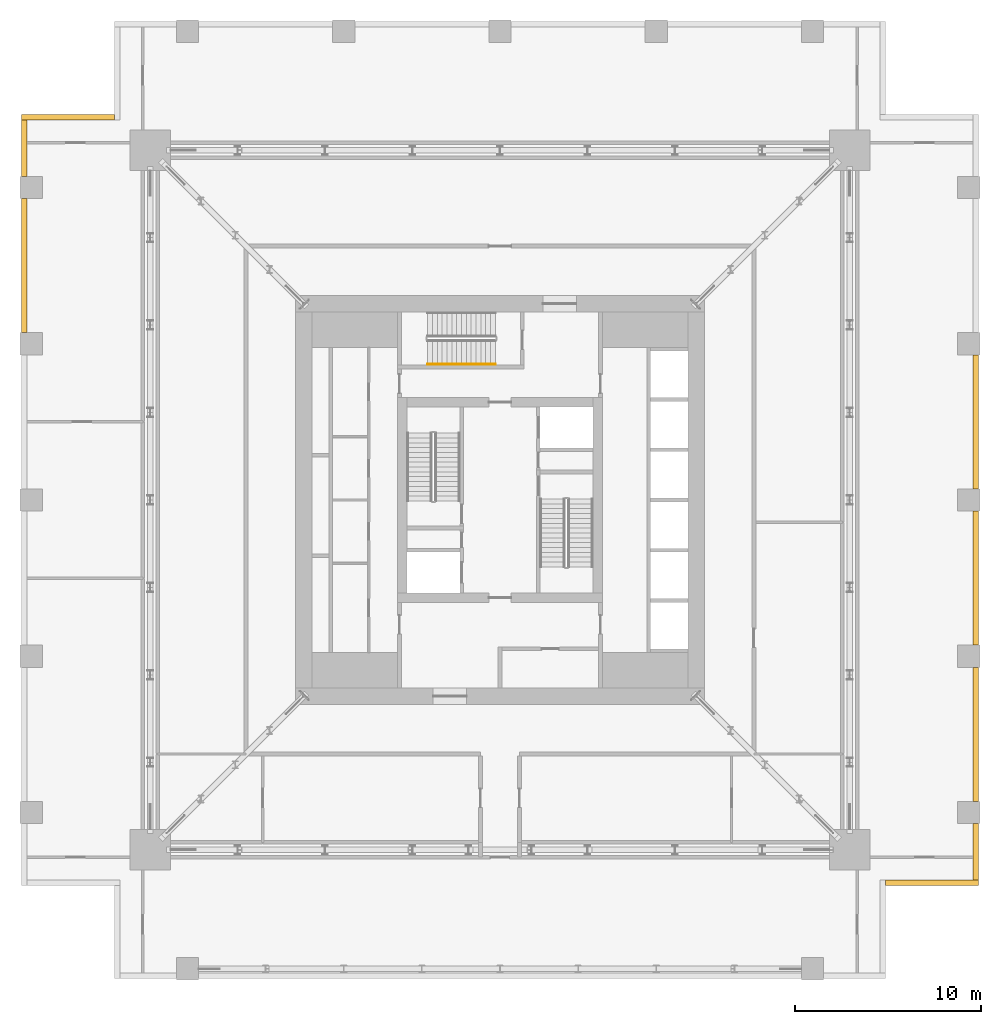
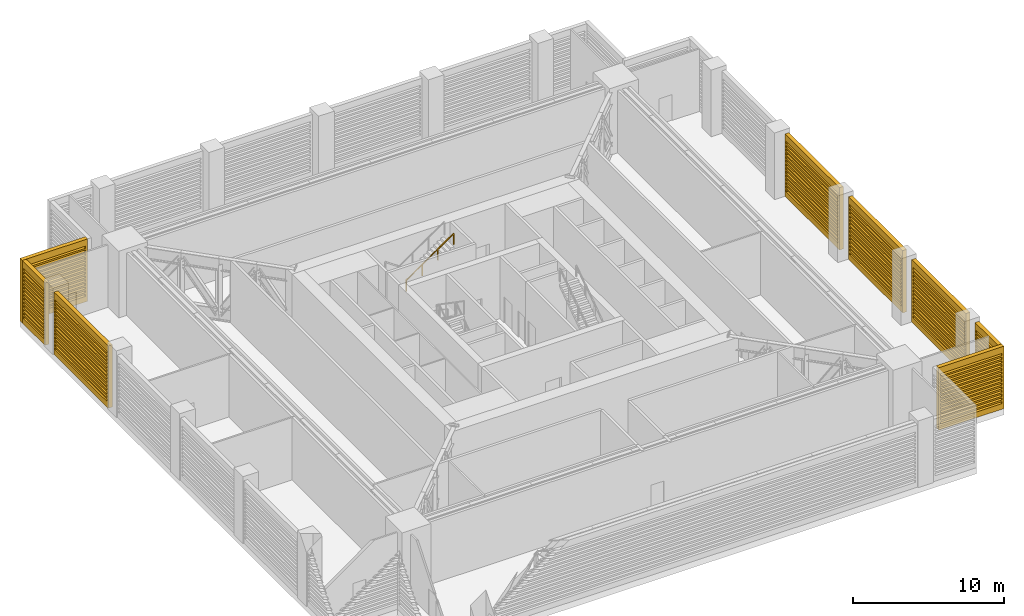
# One storey, part 14 of 16: 8 shading devices, 1 railing.
"""IFC4 building model written with IfcOpenShell, lengths in metres."""

from ifc_helpers import new_model, si_unit, direction, frame, origin, origin_2d, place, context, subcontext, project, spatial, polyline, rectangle, outline, extrude, material, type_object, element, save


model = new_model("IFC4")

# Units and contexts
model_context = context("Model", 3, precision=1e-05, world=origin(), true_north=direction((0.0, 1.0)))
body_context = subcontext(model_context, "Body", "Model", "MODEL_VIEW")
ifc_project = project(units=[si_unit("LENGTHUNIT", "METRE"), si_unit("AREAUNIT", "SQUARE_METRE"), si_unit("VOLUMEUNIT", "CUBIC_METRE"), si_unit("PLANEANGLEUNIT", "RADIAN"), si_unit("MASSUNIT", "GRAM", prefix="KILO")], contexts=[model_context])

# Site, building, storey
site_placement = place(None, origin())
site = spatial("IfcSite", under=ifc_project, at=site_placement, CompositionType="ELEMENT")
building_placement = place(site_placement, origin())
building = spatial("IfcBuilding", under=site, at=building_placement, Name="Khepri Terraces", CompositionType="ELEMENT")
storey_placement = place(building_placement, frame((0.0, 0.0, 287.39990234375)))
storey = spatial("IfcBuildingStorey", under=building, at=storey_placement, Name="L69", CompositionType="ELEMENT", Elevation=287.39990234375)

# Shading devices
ifc_material_1 = material(Name="Anodised aluminium bronze", Category="aluminium")
shading_device_type = type_object("IfcShadingDeviceType", Name="LVR-PLANT-300", PredefinedType="USERDEFINED", material=ifc_material_1)
shading_device_1_placement = place(storey_placement, frame((25.419921875, -20.419921875, 0.0), z_axis=(1.0, 0.0, 0.0), x_axis=(0.0, 1.0, 0.0)))
element("IfcShadingDevice", 1, at=shading_device_1_placement, inside=storey, type_object=shading_device_type, Name="Louvre wall L69 E", ObjectType="LOUVRE", PredefinedType="USERDEFINED", context=body_context, shape_type="SweptSolid", body=[
    extrude(outline(polyline([(0.0, 0.0), (3.02001953125, 0.0), (3.02001953125, 5.050048828125), (0.0, 5.050048828125), (0.0, 0.0)]), holes=[polyline([(0.14990234375, 0.449951171875), (2.8701171875, 0.449951171875), (2.8701171875, 0.6201171875), (0.14990234375, 0.6201171875), (0.14990234375, 0.449951171875)]), polyline([(0.14990234375, 0.75), (2.8701171875, 0.75), (2.8701171875, 0.919921875), (0.14990234375, 0.919921875), (0.14990234375, 0.75)]), polyline([(0.14990234375, 1.050048828125), (2.8701171875, 1.050048828125), (2.8701171875, 1.219970703125), (0.14990234375, 1.219970703125), (0.14990234375, 1.050048828125)]), polyline([(0.14990234375, 1.35009765625), (2.8701171875, 1.35009765625), (2.8701171875, 1.52001953125), (0.14990234375, 1.52001953125), (0.14990234375, 1.35009765625)]), polyline([(0.14990234375, 1.64990234375), (2.8701171875, 1.64990234375), (2.8701171875, 1.820068359375), (0.14990234375, 1.820068359375), (0.14990234375, 1.64990234375)]), polyline([(0.14990234375, 1.949951171875), (2.8701171875, 1.949951171875), (2.8701171875, 2.1201171875), (0.14990234375, 2.1201171875), (0.14990234375, 1.949951171875)]), polyline([(0.14990234375, 2.25), (2.8701171875, 2.25), (2.8701171875, 2.419921875), (0.14990234375, 2.419921875), (0.14990234375, 2.25)]), polyline([(0.14990234375, 2.550048828125), (2.8701171875, 2.550048828125), (2.8701171875, 2.719970703125), (0.14990234375, 2.719970703125), (0.14990234375, 2.550048828125)]), polyline([(0.14990234375, 2.85009765625), (2.8701171875, 2.85009765625), (2.8701171875, 3.02001953125), (0.14990234375, 3.02001953125), (0.14990234375, 2.85009765625)]), polyline([(0.14990234375, 3.14990234375), (2.8701171875, 3.14990234375), (2.8701171875, 3.320068359375), (0.14990234375, 3.320068359375), (0.14990234375, 3.14990234375)]), polyline([(0.14990234375, 3.449951171875), (2.8701171875, 3.449951171875), (2.8701171875, 3.6201171875), (0.14990234375, 3.6201171875), (0.14990234375, 3.449951171875)]), polyline([(0.14990234375, 3.75), (2.8701171875, 3.75), (2.8701171875, 3.919921875), (0.14990234375, 3.919921875), (0.14990234375, 3.75)]), polyline([(0.14990234375, 4.050048828125), (2.8701171875, 4.050048828125), (2.8701171875, 4.219970703125), (0.14990234375, 4.219970703125), (0.14990234375, 4.050048828125)]), polyline([(0.14990234375, 4.35009765625), (2.8701171875, 4.35009765625), (2.8701171875, 4.52001953125), (0.14990234375, 4.52001953125), (0.14990234375, 4.35009765625)])]), origin(), (0.0, 0.0, 1.0), 0.300048828125),
])
shading_device_2_placement = place(storey_placement, frame((25.419921875, -16.199951171875, 0.0), z_axis=(1.0, 0.0, 0.0), x_axis=(0.0, 1.0, 0.0)))
element("IfcShadingDevice", 2, at=shading_device_2_placement, inside=storey, type_object=shading_device_type, Name="Louvre wall L69 E", ObjectType="LOUVRE", PredefinedType="USERDEFINED", context=body_context, shape_type="SweptSolid", body=[
    extrude(outline(polyline([(0.0, 0.0), (7.199951171875, 0.0), (7.199951171875, 5.050048828125), (0.0, 5.050048828125), (0.0, 0.0)]), holes=[polyline([(0.14990234375, 0.449951171875), (7.050048828125, 0.449951171875), (7.050048828125, 0.6201171875), (0.14990234375, 0.6201171875), (0.14990234375, 0.449951171875)]), polyline([(0.14990234375, 0.75), (7.050048828125, 0.75), (7.050048828125, 0.919921875), (0.14990234375, 0.919921875), (0.14990234375, 0.75)]), polyline([(0.14990234375, 1.050048828125), (7.050048828125, 1.050048828125), (7.050048828125, 1.219970703125), (0.14990234375, 1.219970703125), (0.14990234375, 1.050048828125)]), polyline([(0.14990234375, 1.35009765625), (7.050048828125, 1.35009765625), (7.050048828125, 1.52001953125), (0.14990234375, 1.52001953125), (0.14990234375, 1.35009765625)]), polyline([(0.14990234375, 1.64990234375), (7.050048828125, 1.64990234375), (7.050048828125, 1.820068359375), (0.14990234375, 1.820068359375), (0.14990234375, 1.64990234375)]), polyline([(0.14990234375, 1.949951171875), (7.050048828125, 1.949951171875), (7.050048828125, 2.1201171875), (0.14990234375, 2.1201171875), (0.14990234375, 1.949951171875)]), polyline([(0.14990234375, 2.25), (7.050048828125, 2.25), (7.050048828125, 2.419921875), (0.14990234375, 2.419921875), (0.14990234375, 2.25)]), polyline([(0.14990234375, 2.550048828125), (7.050048828125, 2.550048828125), (7.050048828125, 2.719970703125), (0.14990234375, 2.719970703125), (0.14990234375, 2.550048828125)]), polyline([(0.14990234375, 2.85009765625), (7.050048828125, 2.85009765625), (7.050048828125, 3.02001953125), (0.14990234375, 3.02001953125), (0.14990234375, 2.85009765625)]), polyline([(0.14990234375, 3.14990234375), (7.050048828125, 3.14990234375), (7.050048828125, 3.320068359375), (0.14990234375, 3.320068359375), (0.14990234375, 3.14990234375)]), polyline([(0.14990234375, 3.449951171875), (7.050048828125, 3.449951171875), (7.050048828125, 3.6201171875), (0.14990234375, 3.6201171875), (0.14990234375, 3.449951171875)]), polyline([(0.14990234375, 3.75), (7.050048828125, 3.75), (7.050048828125, 3.919921875), (0.14990234375, 3.919921875), (0.14990234375, 3.75)]), polyline([(0.14990234375, 4.050048828125), (7.050048828125, 4.050048828125), (7.050048828125, 4.219970703125), (0.14990234375, 4.219970703125), (0.14990234375, 4.050048828125)]), polyline([(0.14990234375, 4.35009765625), (7.050048828125, 4.35009765625), (7.050048828125, 4.52001953125), (0.14990234375, 4.52001953125), (0.14990234375, 4.35009765625)])]), origin(), (0.0, 0.0, 1.0), 0.300048828125),
])
shading_device_3_placement = place(storey_placement, frame((25.419921875, -7.800048828125, 0.0), z_axis=(1.0, 0.0, 0.0), x_axis=(0.0, 1.0, 0.0)))
element("IfcShadingDevice", 3, at=shading_device_3_placement, inside=storey, type_object=shading_device_type, Name="Louvre wall L69 E", ObjectType="LOUVRE", PredefinedType="USERDEFINED", context=body_context, shape_type="SweptSolid", body=[
    extrude(outline(polyline([(0.0, 0.0), (7.199951171875, 0.0), (7.199951171875, 5.050048828125), (0.0, 5.050048828125), (0.0, 0.0)]), holes=[polyline([(0.14990234375, 0.449951171875), (7.050048828125, 0.449951171875), (7.050048828125, 0.6201171875), (0.14990234375, 0.6201171875), (0.14990234375, 0.449951171875)]), polyline([(0.14990234375, 0.75), (7.050048828125, 0.75), (7.050048828125, 0.919921875), (0.14990234375, 0.919921875), (0.14990234375, 0.75)]), polyline([(0.14990234375, 1.050048828125), (7.050048828125, 1.050048828125), (7.050048828125, 1.219970703125), (0.14990234375, 1.219970703125), (0.14990234375, 1.050048828125)]), polyline([(0.14990234375, 1.35009765625), (7.050048828125, 1.35009765625), (7.050048828125, 1.52001953125), (0.14990234375, 1.52001953125), (0.14990234375, 1.35009765625)]), polyline([(0.14990234375, 1.64990234375), (7.050048828125, 1.64990234375), (7.050048828125, 1.820068359375), (0.14990234375, 1.820068359375), (0.14990234375, 1.64990234375)]), polyline([(0.14990234375, 1.949951171875), (7.050048828125, 1.949951171875), (7.050048828125, 2.1201171875), (0.14990234375, 2.1201171875), (0.14990234375, 1.949951171875)]), polyline([(0.14990234375, 2.25), (7.050048828125, 2.25), (7.050048828125, 2.419921875), (0.14990234375, 2.419921875), (0.14990234375, 2.25)]), polyline([(0.14990234375, 2.550048828125), (7.050048828125, 2.550048828125), (7.050048828125, 2.719970703125), (0.14990234375, 2.719970703125), (0.14990234375, 2.550048828125)]), polyline([(0.14990234375, 2.85009765625), (7.050048828125, 2.85009765625), (7.050048828125, 3.02001953125), (0.14990234375, 3.02001953125), (0.14990234375, 2.85009765625)]), polyline([(0.14990234375, 3.14990234375), (7.050048828125, 3.14990234375), (7.050048828125, 3.320068359375), (0.14990234375, 3.320068359375), (0.14990234375, 3.14990234375)]), polyline([(0.14990234375, 3.449951171875), (7.050048828125, 3.449951171875), (7.050048828125, 3.6201171875), (0.14990234375, 3.6201171875), (0.14990234375, 3.449951171875)]), polyline([(0.14990234375, 3.75), (7.050048828125, 3.75), (7.050048828125, 3.919921875), (0.14990234375, 3.919921875), (0.14990234375, 3.75)]), polyline([(0.14990234375, 4.050048828125), (7.050048828125, 4.050048828125), (7.050048828125, 4.219970703125), (0.14990234375, 4.219970703125), (0.14990234375, 4.050048828125)]), polyline([(0.14990234375, 4.35009765625), (7.050048828125, 4.35009765625), (7.050048828125, 4.52001953125), (0.14990234375, 4.52001953125), (0.14990234375, 4.35009765625)])]), origin(), (0.0, 0.0, 1.0), 0.300048828125),
])
shading_device_4_placement = place(storey_placement, frame((25.419921875, 0.60009765625, 0.0), z_axis=(1.0, 0.0, 0.0), x_axis=(0.0, 1.0, 0.0)))
element("IfcShadingDevice", 4, at=shading_device_4_placement, inside=storey, type_object=shading_device_type, Name="Louvre wall L69 E", ObjectType="LOUVRE", PredefinedType="USERDEFINED", context=body_context, shape_type="SweptSolid", body=[
    extrude(outline(polyline([(0.0, 0.0), (7.199951171875, 0.0), (7.199951171875, 5.050048828125), (0.0, 5.050048828125), (0.0, 0.0)]), holes=[polyline([(0.14990234375, 0.449951171875), (7.050048828125, 0.449951171875), (7.050048828125, 0.6201171875), (0.14990234375, 0.6201171875), (0.14990234375, 0.449951171875)]), polyline([(0.14990234375, 0.75), (7.050048828125, 0.75), (7.050048828125, 0.919921875), (0.14990234375, 0.919921875), (0.14990234375, 0.75)]), polyline([(0.14990234375, 1.050048828125), (7.050048828125, 1.050048828125), (7.050048828125, 1.219970703125), (0.14990234375, 1.219970703125), (0.14990234375, 1.050048828125)]), polyline([(0.14990234375, 1.35009765625), (7.050048828125, 1.35009765625), (7.050048828125, 1.52001953125), (0.14990234375, 1.52001953125), (0.14990234375, 1.35009765625)]), polyline([(0.14990234375, 1.64990234375), (7.050048828125, 1.64990234375), (7.050048828125, 1.820068359375), (0.14990234375, 1.820068359375), (0.14990234375, 1.64990234375)]), polyline([(0.14990234375, 1.949951171875), (7.050048828125, 1.949951171875), (7.050048828125, 2.1201171875), (0.14990234375, 2.1201171875), (0.14990234375, 1.949951171875)]), polyline([(0.14990234375, 2.25), (7.050048828125, 2.25), (7.050048828125, 2.419921875), (0.14990234375, 2.419921875), (0.14990234375, 2.25)]), polyline([(0.14990234375, 2.550048828125), (7.050048828125, 2.550048828125), (7.050048828125, 2.719970703125), (0.14990234375, 2.719970703125), (0.14990234375, 2.550048828125)]), polyline([(0.14990234375, 2.85009765625), (7.050048828125, 2.85009765625), (7.050048828125, 3.02001953125), (0.14990234375, 3.02001953125), (0.14990234375, 2.85009765625)]), polyline([(0.14990234375, 3.14990234375), (7.050048828125, 3.14990234375), (7.050048828125, 3.320068359375), (0.14990234375, 3.320068359375), (0.14990234375, 3.14990234375)]), polyline([(0.14990234375, 3.449951171875), (7.050048828125, 3.449951171875), (7.050048828125, 3.6201171875), (0.14990234375, 3.6201171875), (0.14990234375, 3.449951171875)]), polyline([(0.14990234375, 3.75), (7.050048828125, 3.75), (7.050048828125, 3.919921875), (0.14990234375, 3.919921875), (0.14990234375, 3.75)]), polyline([(0.14990234375, 4.050048828125), (7.050048828125, 4.050048828125), (7.050048828125, 4.219970703125), (0.14990234375, 4.219970703125), (0.14990234375, 4.050048828125)]), polyline([(0.14990234375, 4.35009765625), (7.050048828125, 4.35009765625), (7.050048828125, 4.52001953125), (0.14990234375, 4.52001953125), (0.14990234375, 4.35009765625)])]), origin(), (0.0, 0.0, 1.0), 0.300048828125),
])
shading_device_5_placement = place(storey_placement, frame((-20.719970703125, 20.419921875, 0.0), z_axis=(0.0, 1.0, 0.0), x_axis=(-1.0, 0.0, 0.0)))
element("IfcShadingDevice", 5, at=shading_device_5_placement, inside=storey, type_object=shading_device_type, Name="Louvre wall L69 N", ObjectType="LOUVRE", PredefinedType="USERDEFINED", context=body_context, shape_type="SweptSolid", body=[
    extrude(outline(polyline([(0.0, 0.0), (5.0, 0.0), (5.0, 5.050048828125), (0.0, 5.050048828125), (0.0, 0.0)]), holes=[polyline([(0.14990234375, 0.449951171875), (4.85009765625, 0.449951171875), (4.85009765625, 0.6201171875), (0.14990234375, 0.6201171875), (0.14990234375, 0.449951171875)]), polyline([(0.14990234375, 0.75), (4.85009765625, 0.75), (4.85009765625, 0.919921875), (0.14990234375, 0.919921875), (0.14990234375, 0.75)]), polyline([(0.14990234375, 1.050048828125), (4.85009765625, 1.050048828125), (4.85009765625, 1.219970703125), (0.14990234375, 1.219970703125), (0.14990234375, 1.050048828125)]), polyline([(0.14990234375, 1.35009765625), (4.85009765625, 1.35009765625), (4.85009765625, 1.52001953125), (0.14990234375, 1.52001953125), (0.14990234375, 1.35009765625)]), polyline([(0.14990234375, 1.64990234375), (4.85009765625, 1.64990234375), (4.85009765625, 1.820068359375), (0.14990234375, 1.820068359375), (0.14990234375, 1.64990234375)]), polyline([(0.14990234375, 1.949951171875), (4.85009765625, 1.949951171875), (4.85009765625, 2.1201171875), (0.14990234375, 2.1201171875), (0.14990234375, 1.949951171875)]), polyline([(0.14990234375, 2.25), (4.85009765625, 2.25), (4.85009765625, 2.419921875), (0.14990234375, 2.419921875), (0.14990234375, 2.25)]), polyline([(0.14990234375, 2.550048828125), (4.85009765625, 2.550048828125), (4.85009765625, 2.719970703125), (0.14990234375, 2.719970703125), (0.14990234375, 2.550048828125)]), polyline([(0.14990234375, 2.85009765625), (4.85009765625, 2.85009765625), (4.85009765625, 3.02001953125), (0.14990234375, 3.02001953125), (0.14990234375, 2.85009765625)]), polyline([(0.14990234375, 3.14990234375), (4.85009765625, 3.14990234375), (4.85009765625, 3.320068359375), (0.14990234375, 3.320068359375), (0.14990234375, 3.14990234375)]), polyline([(0.14990234375, 3.449951171875), (4.85009765625, 3.449951171875), (4.85009765625, 3.6201171875), (0.14990234375, 3.6201171875), (0.14990234375, 3.449951171875)]), polyline([(0.14990234375, 3.75), (4.85009765625, 3.75), (4.85009765625, 3.919921875), (0.14990234375, 3.919921875), (0.14990234375, 3.75)]), polyline([(0.14990234375, 4.050048828125), (4.85009765625, 4.050048828125), (4.85009765625, 4.219970703125), (0.14990234375, 4.219970703125), (0.14990234375, 4.050048828125)]), polyline([(0.14990234375, 4.35009765625), (4.85009765625, 4.35009765625), (4.85009765625, 4.52001953125), (0.14990234375, 4.52001953125), (0.14990234375, 4.35009765625)])]), origin(), (0.0, 0.0, 1.0), 0.300048828125),
])
shading_device_6_placement = place(storey_placement, frame((-25.419921875, 20.419921875, 0.0), z_axis=(-1.0, 0.0, 0.0), x_axis=(0.0, -1.0, 0.0)))
element("IfcShadingDevice", 6, at=shading_device_6_placement, inside=storey, type_object=shading_device_type, Name="Louvre wall L69 W", ObjectType="LOUVRE", PredefinedType="USERDEFINED", context=body_context, shape_type="SweptSolid", body=[
    extrude(outline(polyline([(0.0, 0.0), (3.02001953125, 0.0), (3.02001953125, 5.050048828125), (0.0, 5.050048828125), (0.0, 0.0)]), holes=[polyline([(0.14990234375, 0.449951171875), (2.8701171875, 0.449951171875), (2.8701171875, 0.6201171875), (0.14990234375, 0.6201171875), (0.14990234375, 0.449951171875)]), polyline([(0.14990234375, 0.75), (2.8701171875, 0.75), (2.8701171875, 0.919921875), (0.14990234375, 0.919921875), (0.14990234375, 0.75)]), polyline([(0.14990234375, 1.050048828125), (2.8701171875, 1.050048828125), (2.8701171875, 1.219970703125), (0.14990234375, 1.219970703125), (0.14990234375, 1.050048828125)]), polyline([(0.14990234375, 1.35009765625), (2.8701171875, 1.35009765625), (2.8701171875, 1.52001953125), (0.14990234375, 1.52001953125), (0.14990234375, 1.35009765625)]), polyline([(0.14990234375, 1.64990234375), (2.8701171875, 1.64990234375), (2.8701171875, 1.820068359375), (0.14990234375, 1.820068359375), (0.14990234375, 1.64990234375)]), polyline([(0.14990234375, 1.949951171875), (2.8701171875, 1.949951171875), (2.8701171875, 2.1201171875), (0.14990234375, 2.1201171875), (0.14990234375, 1.949951171875)]), polyline([(0.14990234375, 2.25), (2.8701171875, 2.25), (2.8701171875, 2.419921875), (0.14990234375, 2.419921875), (0.14990234375, 2.25)]), polyline([(0.14990234375, 2.550048828125), (2.8701171875, 2.550048828125), (2.8701171875, 2.719970703125), (0.14990234375, 2.719970703125), (0.14990234375, 2.550048828125)]), polyline([(0.14990234375, 2.85009765625), (2.8701171875, 2.85009765625), (2.8701171875, 3.02001953125), (0.14990234375, 3.02001953125), (0.14990234375, 2.85009765625)]), polyline([(0.14990234375, 3.14990234375), (2.8701171875, 3.14990234375), (2.8701171875, 3.320068359375), (0.14990234375, 3.320068359375), (0.14990234375, 3.14990234375)]), polyline([(0.14990234375, 3.449951171875), (2.8701171875, 3.449951171875), (2.8701171875, 3.6201171875), (0.14990234375, 3.6201171875), (0.14990234375, 3.449951171875)]), polyline([(0.14990234375, 3.75), (2.8701171875, 3.75), (2.8701171875, 3.919921875), (0.14990234375, 3.919921875), (0.14990234375, 3.75)]), polyline([(0.14990234375, 4.050048828125), (2.8701171875, 4.050048828125), (2.8701171875, 4.219970703125), (0.14990234375, 4.219970703125), (0.14990234375, 4.050048828125)]), polyline([(0.14990234375, 4.35009765625), (2.8701171875, 4.35009765625), (2.8701171875, 4.52001953125), (0.14990234375, 4.52001953125), (0.14990234375, 4.35009765625)])]), origin(), (0.0, 0.0, 1.0), 0.300048828125),
])
shading_device_7_placement = place(storey_placement, frame((-25.419921875, 16.199951171875, 0.0), z_axis=(-1.0, 0.0, 0.0), x_axis=(0.0, -1.0, 0.0)))
element("IfcShadingDevice", 7, at=shading_device_7_placement, inside=storey, type_object=shading_device_type, Name="Louvre wall L69 W", ObjectType="LOUVRE", PredefinedType="USERDEFINED", context=body_context, shape_type="SweptSolid", body=[
    extrude(outline(polyline([(0.0, 0.0), (7.199951171875, 0.0), (7.199951171875, 5.050048828125), (0.0, 5.050048828125), (0.0, 0.0)]), holes=[polyline([(0.14990234375, 0.449951171875), (7.050048828125, 0.449951171875), (7.050048828125, 0.6201171875), (0.14990234375, 0.6201171875), (0.14990234375, 0.449951171875)]), polyline([(0.14990234375, 0.75), (7.050048828125, 0.75), (7.050048828125, 0.919921875), (0.14990234375, 0.919921875), (0.14990234375, 0.75)]), polyline([(0.14990234375, 1.050048828125), (7.050048828125, 1.050048828125), (7.050048828125, 1.219970703125), (0.14990234375, 1.219970703125), (0.14990234375, 1.050048828125)]), polyline([(0.14990234375, 1.35009765625), (7.050048828125, 1.35009765625), (7.050048828125, 1.52001953125), (0.14990234375, 1.52001953125), (0.14990234375, 1.35009765625)]), polyline([(0.14990234375, 1.64990234375), (7.050048828125, 1.64990234375), (7.050048828125, 1.820068359375), (0.14990234375, 1.820068359375), (0.14990234375, 1.64990234375)]), polyline([(0.14990234375, 1.949951171875), (7.050048828125, 1.949951171875), (7.050048828125, 2.1201171875), (0.14990234375, 2.1201171875), (0.14990234375, 1.949951171875)]), polyline([(0.14990234375, 2.25), (7.050048828125, 2.25), (7.050048828125, 2.419921875), (0.14990234375, 2.419921875), (0.14990234375, 2.25)]), polyline([(0.14990234375, 2.550048828125), (7.050048828125, 2.550048828125), (7.050048828125, 2.719970703125), (0.14990234375, 2.719970703125), (0.14990234375, 2.550048828125)]), polyline([(0.14990234375, 2.85009765625), (7.050048828125, 2.85009765625), (7.050048828125, 3.02001953125), (0.14990234375, 3.02001953125), (0.14990234375, 2.85009765625)]), polyline([(0.14990234375, 3.14990234375), (7.050048828125, 3.14990234375), (7.050048828125, 3.320068359375), (0.14990234375, 3.320068359375), (0.14990234375, 3.14990234375)]), polyline([(0.14990234375, 3.449951171875), (7.050048828125, 3.449951171875), (7.050048828125, 3.6201171875), (0.14990234375, 3.6201171875), (0.14990234375, 3.449951171875)]), polyline([(0.14990234375, 3.75), (7.050048828125, 3.75), (7.050048828125, 3.919921875), (0.14990234375, 3.919921875), (0.14990234375, 3.75)]), polyline([(0.14990234375, 4.050048828125), (7.050048828125, 4.050048828125), (7.050048828125, 4.219970703125), (0.14990234375, 4.219970703125), (0.14990234375, 4.050048828125)]), polyline([(0.14990234375, 4.35009765625), (7.050048828125, 4.35009765625), (7.050048828125, 4.52001953125), (0.14990234375, 4.52001953125), (0.14990234375, 4.35009765625)])]), origin(), (0.0, 0.0, 1.0), 0.300048828125),
])
shading_device_8_placement = place(storey_placement, frame((20.719970703125, -20.419921875, 0.0), z_axis=(0.0, -1.0, 0.0), x_axis=(1.0, 0.0, 0.0)))
element("IfcShadingDevice", 8, at=shading_device_8_placement, inside=storey, type_object=shading_device_type, Name="Louvre wall L69 S", ObjectType="LOUVRE", PredefinedType="USERDEFINED", context=body_context, shape_type="SweptSolid", body=[
    extrude(outline(polyline([(0.0, 0.0), (5.0, 0.0), (5.0, 5.050048828125), (0.0, 5.050048828125), (0.0, 0.0)]), holes=[polyline([(0.14990234375, 0.449951171875), (4.85009765625, 0.449951171875), (4.85009765625, 0.6201171875), (0.14990234375, 0.6201171875), (0.14990234375, 0.449951171875)]), polyline([(0.14990234375, 0.75), (4.85009765625, 0.75), (4.85009765625, 0.919921875), (0.14990234375, 0.919921875), (0.14990234375, 0.75)]), polyline([(0.14990234375, 1.050048828125), (4.85009765625, 1.050048828125), (4.85009765625, 1.219970703125), (0.14990234375, 1.219970703125), (0.14990234375, 1.050048828125)]), polyline([(0.14990234375, 1.35009765625), (4.85009765625, 1.35009765625), (4.85009765625, 1.52001953125), (0.14990234375, 1.52001953125), (0.14990234375, 1.35009765625)]), polyline([(0.14990234375, 1.64990234375), (4.85009765625, 1.64990234375), (4.85009765625, 1.820068359375), (0.14990234375, 1.820068359375), (0.14990234375, 1.64990234375)]), polyline([(0.14990234375, 1.949951171875), (4.85009765625, 1.949951171875), (4.85009765625, 2.1201171875), (0.14990234375, 2.1201171875), (0.14990234375, 1.949951171875)]), polyline([(0.14990234375, 2.25), (4.85009765625, 2.25), (4.85009765625, 2.419921875), (0.14990234375, 2.419921875), (0.14990234375, 2.25)]), polyline([(0.14990234375, 2.550048828125), (4.85009765625, 2.550048828125), (4.85009765625, 2.719970703125), (0.14990234375, 2.719970703125), (0.14990234375, 2.550048828125)]), polyline([(0.14990234375, 2.85009765625), (4.85009765625, 2.85009765625), (4.85009765625, 3.02001953125), (0.14990234375, 3.02001953125), (0.14990234375, 2.85009765625)]), polyline([(0.14990234375, 3.14990234375), (4.85009765625, 3.14990234375), (4.85009765625, 3.320068359375), (0.14990234375, 3.320068359375), (0.14990234375, 3.14990234375)]), polyline([(0.14990234375, 3.449951171875), (4.85009765625, 3.449951171875), (4.85009765625, 3.6201171875), (0.14990234375, 3.6201171875), (0.14990234375, 3.449951171875)]), polyline([(0.14990234375, 3.75), (4.85009765625, 3.75), (4.85009765625, 3.919921875), (0.14990234375, 3.919921875), (0.14990234375, 3.75)]), polyline([(0.14990234375, 4.050048828125), (4.85009765625, 4.050048828125), (4.85009765625, 4.219970703125), (0.14990234375, 4.219970703125), (0.14990234375, 4.050048828125)]), polyline([(0.14990234375, 4.35009765625), (4.85009765625, 4.35009765625), (4.85009765625, 4.52001953125), (0.14990234375, 4.52001953125), (0.14990234375, 4.35009765625)])]), origin(), (0.0, 0.0, 1.0), 0.300048828125),
])

# Railing
ifc_material_2 = material(Name="Stainless steel 316", Category="steel")
railing_type = type_object("IfcRailingType", Name="RL-CORE-HANDRAIL", PredefinedType="HANDRAIL", material=ifc_material_2)
railing_placement = place(storey_placement, frame((-3.889892578125, 7.300048828125, 2.880126953125)))
element("IfcRailing", 9, at=railing_placement, inside=storey, type_object=railing_type, Name="L69 ST-3 stair handrail 2", PredefinedType="HANDRAIL", context=body_context, shape_type="SweptSolid", body=[
    extrude(rectangle(XDim=0.050048828125, YDim=0.050048828125, at=origin_2d()), frame((0.0, 0.0, 0.875), z_axis=(0.822182265111, 0.0, 0.569224316888), x_axis=(0.0, 1.0, 0.0)), (0.0, 0.0, 1.0), 4.427001953125),
    extrude(rectangle(XDim=0.050048828125, YDim=0.050048828125, at=origin_2d()), origin(), (0.0, 0.0, 1.0), 0.849853515625),
    extrude(rectangle(XDim=0.050048828125, YDim=0.050048828125, at=origin_2d()), frame((1.21337890625, 0.0, 0.840087890625)), (0.0, 0.0, 1.0), 0.849853515625),
    extrude(rectangle(XDim=0.050048828125, YDim=0.050048828125, at=origin_2d()), frame((2.426513671875, 0.0, 1.679931640625)), (0.0, 0.0, 1.0), 0.849853515625),
    extrude(rectangle(XDim=0.050048828125, YDim=0.050048828125, at=origin_2d()), frame((3.639892578125, 0.0, 2.52001953125)), (0.0, 0.0, 1.0), 0.849853515625),
])

save(model, "model.ifc")
